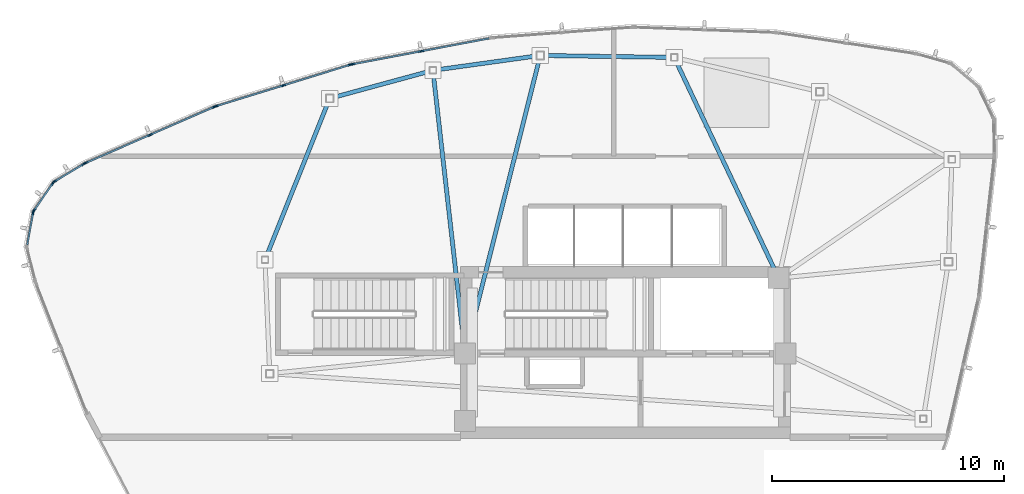
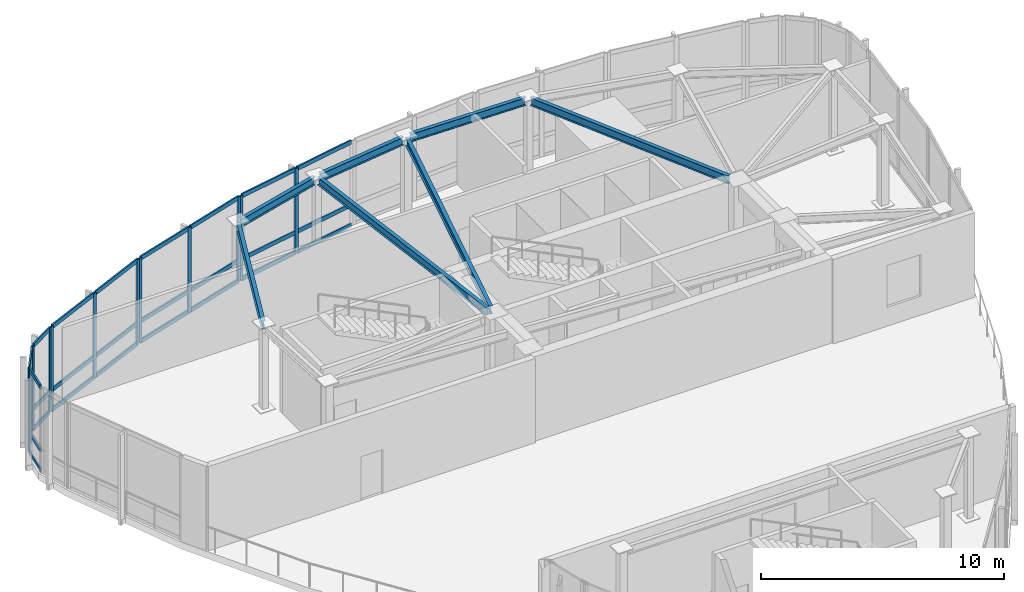
# One storey, part 6 of 16: 40 members, 7 beams, 6 elements without a shape of their own.
"""IFC4 building model written with IfcOpenShell, lengths in metres."""

from ifc_helpers import new_model, si_unit, direction, frame, origin, origin_2d, place, context, subcontext, project, spatial, hollow_rectangle, i_section, extrude, source, transform, mapped, material, layer, layer_set, material_profile, profile_set, type_object, type_shapes, element, aggregate, save


model = new_model("IFC4")

# Units and contexts
model_context = context("Model", 3, precision=1e-05, world=origin(), true_north=direction((0.0, 1.0)))
body_context = subcontext(model_context, "Body", "Model", "MODEL_VIEW")
ifc_project = project(units=[si_unit("LENGTHUNIT", "METRE"), si_unit("AREAUNIT", "SQUARE_METRE"), si_unit("VOLUMEUNIT", "CUBIC_METRE"), si_unit("PLANEANGLEUNIT", "RADIAN"), si_unit("MASSUNIT", "GRAM", prefix="KILO")], contexts=[model_context])

# Site, building, storey
site_placement = place(None, origin())
site = spatial("IfcSite", under=ifc_project, at=site_placement, CompositionType="ELEMENT")
building_placement = place(site_placement, origin())
building = spatial("IfcBuilding", under=site, at=building_placement, Name="Tavelor Broadcast Tower", CompositionType="ELEMENT")
storey_placement = place(building_placement, frame((0.0, 0.0, 332.10009765625)))
storey = spatial("IfcBuildingStorey", under=building, at=storey_placement, Name="L79", CompositionType="ELEMENT", Elevation=332.10009765625)

# Beams
ifc_material_1 = material(Name="Steel S355", Category="steel")
ifc_material_profile_1 = material_profile(ifc_material_1, i_section(OverallWidth=0.179931640625, OverallDepth=0.39990234375, WebThickness=0.008544921875, FlangeThickness=0.013427734375, at=origin_2d()), Name="IPE 400")
ifc_profile_set_1 = profile_set([ifc_material_profile_1], Name="Steel S355")
beam_type = type_object("IfcBeamType", Name="Crown Ring Spandrel Beam IPE400", PredefinedType="SPANDREL", material=ifc_profile_set_1)
beam_1_placement = place(storey_placement, frame((37.20654296875, 58.77197265625, 4.0498046875), z_axis=(-0.372319972441, -0.928104432767, 0.0), x_axis=(0.928104432767, -0.372319972441, 0.0)))
element("IfcBeam", 1, at=beam_1_placement, inside=storey, type_object=beam_type, Name="L79 Crown Peak A Ring Spandrel 1", PredefinedType="SPANDREL", context=body_context, shape_type="SweptSolid", body=[
    extrude(i_section(OverallWidth=0.179931640625, OverallDepth=0.39990234375, WebThickness=0.008544921875, FlangeThickness=0.013427734375, at=origin_2d()), origin(), (0.0, 0.0, 1.0), 7.1552734375),
])
beam_2_placement = place(storey_placement, frame((51.950927734375, 60.703857421875, 4.0498046875), z_axis=(-0.999890824975, 0.01477626921, 0.0), x_axis=(-0.01477626921, -0.999890824975, 0.0)))
element("IfcBeam", 2, at=beam_2_placement, inside=storey, type_object=beam_type, Name="L79 Crown Peak A Ring Spandrel 8", PredefinedType="SPANDREL", context=body_context, shape_type="SweptSolid", body=[
    extrude(i_section(OverallWidth=0.179931640625, OverallDepth=0.39990234375, WebThickness=0.008544921875, FlangeThickness=0.013427734375, at=origin_2d()), origin(), (0.0, 0.0, 1.0), 5.435791015625),
])
beam_3_placement = place(storey_placement, frame((56.415283203125, 51.590576171875, 4.0498046875), z_axis=(-0.427748000898, 0.903898029497, 0.0), x_axis=(-0.903898029497, -0.427748000898, 0.0)))
element("IfcBeam", 3, at=beam_3_placement, inside=storey, type_object=beam_type, Name="L79 Crown Peak A Radial Beam 8", PredefinedType="SPANDREL", context=body_context, shape_type="SweptSolid", body=[
    extrude(i_section(OverallWidth=0.179931640625, OverallDepth=0.39990234375, WebThickness=0.008544921875, FlangeThickness=0.013427734375, at=origin_2d()), origin(), (0.0, 0.0, 1.0), 9.926513671875),
])
beam_4_placement = place(storey_placement, frame((46.160400390625, 60.762451171875, 4.0498046875), z_axis=(-0.990512514029, -0.13742255838, 0.0), x_axis=(0.13742255838, -0.990512514029, 0.0)))
element("IfcBeam", 4, at=beam_4_placement, inside=storey, type_object=beam_type, Name="L79 Crown Peak A Ring Spandrel 9", PredefinedType="SPANDREL", context=body_context, shape_type="SweptSolid", body=[
    extrude(i_section(OverallWidth=0.179931640625, OverallDepth=0.39990234375, WebThickness=0.008544921875, FlangeThickness=0.013427734375, at=origin_2d()), origin(), (0.0, 0.0, 1.0), 4.334716796875),
])
beam_5_placement = place(storey_placement, frame((43.20556640625, 48.368896484375, 4.0498046875), z_axis=(0.244522996769, 0.969643493275, 0.0), x_axis=(-0.969643493275, 0.244522996769, 0.0)))
element("IfcBeam", 5, at=beam_5_placement, inside=storey, type_object=beam_type, Name="L79 Crown Peak A Radial Beam 9", PredefinedType="SPANDREL", context=body_context, shape_type="SweptSolid", body=[
    extrude(i_section(OverallWidth=0.179931640625, OverallDepth=0.39990234375, WebThickness=0.008544921875, FlangeThickness=0.013427734375, at=origin_2d()), origin(), (0.0, 0.0, 1.0), 12.628173828125),
])
beam_6_placement = place(storey_placement, frame((41.5673828125, 60.105712890625, 4.0498046875), z_axis=(-0.964933753027, -0.262493528053, 0.0), x_axis=(0.262493528053, -0.964933753027, 0.0)))
element("IfcBeam", 6, at=beam_6_placement, inside=storey, type_object=beam_type, Name="L79 Crown Peak A Ring Spandrel 10", PredefinedType="SPANDREL", context=body_context, shape_type="SweptSolid", body=[
    extrude(i_section(OverallWidth=0.179931640625, OverallDepth=0.39990234375, WebThickness=0.008544921875, FlangeThickness=0.013427734375, at=origin_2d()), origin(), (0.0, 0.0, 1.0), 4.27197265625),
])
beam_7_placement = place(storey_placement, frame((43.05126953125, 48.379150390625, 4.0498046875), z_axis=(-0.112824398256, 0.993614943103, 0.0), x_axis=(-0.993614943103, -0.112824398256, 0.0)))
element("IfcBeam", 7, at=beam_7_placement, inside=storey, type_object=beam_type, Name="L79 Crown Peak A Radial Beam 10", PredefinedType="SPANDREL", context=body_context, shape_type="SweptSolid", body=[
    extrude(i_section(OverallWidth=0.179931640625, OverallDepth=0.39990234375, WebThickness=0.008544921875, FlangeThickness=0.013427734375, at=origin_2d()), origin(), (0.0, 0.0, 1.0), 11.689453125),
])

# Curtain wall, members
ifc_material_2 = material(Name="Architectural Anodized Aluminium", Category="aluminium")
ifc_layer = layer(ifc_material_2, 0.2099609375)
ifc_layer_set = layer_set([ifc_layer], Name="Architectural Anodized Aluminium")
curtain_wall_type = type_object("IfcCurtainWallType", Name="Split-Crown Beacon Curtain Wall CW06", PredefinedType="NOTDEFINED", material=ifc_layer_set)
curtain_wall_1_placement = place(storey_placement, origin())
curtain_wall_1 = element("IfcCurtainWall", 8, at=curtain_wall_1_placement, inside=storey, type_object=curtain_wall_type, Name="L79 Curtain Wall CW06 Run 886", PredefinedType="NOTDEFINED")
ifc_material_profile_2 = material_profile(ifc_material_2, hollow_rectangle(XDim=0.072021484375, YDim=0.2099609375, WallThickness=0.02197265625, at=origin_2d()), Name="RHS 72x210x22")
ifc_profile_set_2 = profile_set([ifc_material_profile_2], Name="Architectural Anodized Aluminium")
member_type_1 = type_object("IfcMemberType", Name="CW06 Extruded Aluminium Mullion 72x210", PredefinedType="MULLION", material=ifc_profile_set_2)
shared_shape_1 = source(origin(), body_context, "Body", "SweptSolid", [
    extrude(hollow_rectangle(XDim=0.072021484375, YDim=0.2099609375, WallThickness=0.02197265625, at=origin_2d()), origin(), (0.0, 0.0, 1.0), 4.25),
])
type_shapes(member_type_1, [shared_shape_1])
member_1_placement = place(storey_placement, frame((41.2109375, 60.968017578125, 0.0), z_axis=(0.0, 0.0, 1.0), x_axis=(0.185942140658, -0.982560695493, 0.0)))
member_1 = element("IfcMember", 9, at=member_1_placement, type_object=member_type_1, Name="CW06 mullion 2", PredefinedType="MULLION", context=body_context, shape_type="MappedRepresentation", body=[
    mapped(shared_shape_1, transform((0.0, 0.0, 0.0), scale=1.0)),
])
member_2_placement = place(storey_placement, frame((38.24951171875, 60.40771484375, 0.0), z_axis=(0.0, 0.0, 1.0), x_axis=(0.185942140658, -0.982560695493, 0.0)))
member_2 = element("IfcMember", 10, at=member_2_placement, type_object=member_type_1, Name="CW06 mullion 3", PredefinedType="MULLION", context=body_context, shape_type="MappedRepresentation", body=[
    mapped(shared_shape_1, transform((0.0, 0.0, 0.0), scale=1.0)),
])

curtain_wall_2_placement = place(storey_placement, origin())
curtain_wall_2 = element("IfcCurtainWall", 11, at=curtain_wall_2_placement, inside=storey, type_object=curtain_wall_type, Name="L79 Curtain Wall CW06 Run 887", PredefinedType="NOTDEFINED")
member_3_placement = place(storey_placement, frame((38.150634765625, 60.383056640625, 0.0), z_axis=(0.0, 0.0, 1.0), x_axis=(0.294839112838, -0.955546910173, 0.0)))
member_3 = element("IfcMember", 12, at=member_3_placement, type_object=member_type_1, Name="CW06 mullion 1", PredefinedType="MULLION", context=body_context, shape_type="MappedRepresentation", body=[
    mapped(shared_shape_1, transform((0.0, 0.0, 0.0), scale=1.0)),
])
member_4_placement = place(storey_placement, frame((35.2705078125, 59.494384765625, 0.0), z_axis=(0.0, 0.0, 1.0), x_axis=(0.294839112838, -0.955546910173, 0.0)))
member_4 = element("IfcMember", 13, at=member_4_placement, type_object=member_type_1, Name="CW06 mullion 2", PredefinedType="MULLION", context=body_context, shape_type="MappedRepresentation", body=[
    mapped(shared_shape_1, transform((0.0, 0.0, 0.0), scale=1.0)),
])
member_5_placement = place(storey_placement, frame((32.390380859375, 58.605712890625, 0.0), z_axis=(0.0, 0.0, 1.0), x_axis=(0.294839112838, -0.955546910173, 0.0)))
member_5 = element("IfcMember", 14, at=member_5_placement, type_object=member_type_1, Name="CW06 mullion 3", PredefinedType="MULLION", context=body_context, shape_type="MappedRepresentation", body=[
    mapped(shared_shape_1, transform((0.0, 0.0, 0.0), scale=1.0)),
])

curtain_wall_3_placement = place(storey_placement, origin())
curtain_wall_3 = element("IfcCurtainWall", 15, at=curtain_wall_3_placement, inside=storey, type_object=curtain_wall_type, Name="L79 Curtain Wall CW06 Run 888", PredefinedType="NOTDEFINED")
member_6_placement = place(storey_placement, frame((32.294921875, 58.5703125, 0.0), z_axis=(0.0, 0.0, 1.0), x_axis=(0.400035109106, -0.916499815321, 0.0)))
member_6 = element("IfcMember", 16, at=member_6_placement, type_object=member_type_1, Name="CW06 mullion 1", PredefinedType="MULLION", context=body_context, shape_type="MappedRepresentation", body=[
    mapped(shared_shape_1, transform((0.0, 0.0, 0.0), scale=1.0)),
])
member_7_placement = place(storey_placement, frame((29.532958984375, 57.36474609375, 0.0), z_axis=(0.0, 0.0, 1.0), x_axis=(0.400035109106, -0.916499815321, 0.0)))
member_7 = element("IfcMember", 17, at=member_7_placement, type_object=member_type_1, Name="CW06 mullion 2", PredefinedType="MULLION", context=body_context, shape_type="MappedRepresentation", body=[
    mapped(shared_shape_1, transform((0.0, 0.0, 0.0), scale=1.0)),
])
member_8_placement = place(storey_placement, frame((26.77099609375, 56.1591796875, 0.0), z_axis=(0.0, 0.0, 1.0), x_axis=(0.400035109106, -0.916499815321, 0.0)))
member_8 = element("IfcMember", 18, at=member_8_placement, type_object=member_type_1, Name="CW06 mullion 3", PredefinedType="MULLION", context=body_context, shape_type="MappedRepresentation", body=[
    mapped(shared_shape_1, transform((0.0, 0.0, 0.0), scale=1.0)),
])

curtain_wall_4_placement = place(storey_placement, origin())
curtain_wall_4 = element("IfcCurtainWall", 19, at=curtain_wall_4_placement, inside=storey, type_object=curtain_wall_type, Name="L79 Curtain Wall CW06 Run 889", PredefinedType="NOTDEFINED")
member_9_placement = place(storey_placement, frame((26.6806640625, 56.112548828125, 0.0), z_axis=(0.0, 0.0, 1.0), x_axis=(0.51583017563, -0.856690860176, 0.0)))
member_9 = element("IfcMember", 20, at=member_9_placement, type_object=member_type_1, Name="CW06 mullion 1", PredefinedType="MULLION", context=body_context, shape_type="MappedRepresentation", body=[
    mapped(shared_shape_1, transform((0.0, 0.0, 0.0), scale=1.0)),
])
member_10_placement = place(storey_placement, frame((25.4306640625, 55.35986328125, 0.0), z_axis=(0.0, 0.0, 1.0), x_axis=(0.51583017563, -0.856690860176, 0.0)))
member_10 = element("IfcMember", 21, at=member_10_placement, type_object=member_type_1, Name="CW06 mullion 2", PredefinedType="MULLION", context=body_context, shape_type="MappedRepresentation", body=[
    mapped(shared_shape_1, transform((0.0, 0.0, 0.0), scale=1.0)),
])

curtain_wall_5_placement = place(storey_placement, origin())
curtain_wall_5 = element("IfcCurtainWall", 22, at=curtain_wall_5_placement, inside=storey, type_object=curtain_wall_type, Name="L79 Curtain Wall CW06 Run 890", PredefinedType="NOTDEFINED")
member_11_placement = place(storey_placement, frame((25.35791015625, 55.291748046875, 0.0), z_axis=(0.0, 0.0, 1.0), x_axis=(0.822632924885, -0.568572836931, 0.0)))
member_11 = element("IfcMember", 23, at=member_11_placement, type_object=member_type_1, Name="CW06 mullion 1", PredefinedType="MULLION", context=body_context, shape_type="MappedRepresentation", body=[
    mapped(shared_shape_1, transform((0.0, 0.0, 0.0), scale=1.0)),
])
member_12_placement = place(storey_placement, frame((24.540283203125, 54.1083984375, 0.0), z_axis=(0.0, 0.0, 1.0), x_axis=(0.822632924885, -0.568572836931, 0.0)))
member_12 = element("IfcMember", 24, at=member_12_placement, type_object=member_type_1, Name="CW06 mullion 2", PredefinedType="MULLION", context=body_context, shape_type="MappedRepresentation", body=[
    mapped(shared_shape_1, transform((0.0, 0.0, 0.0), scale=1.0)),
])

# Curtain wall, member
curtain_wall_6_placement = place(storey_placement, origin())
curtain_wall_6 = element("IfcCurtainWall", 25, at=curtain_wall_6_placement, inside=storey, type_object=curtain_wall_type, Name="L79 Curtain Wall CW06 Run 891", PredefinedType="NOTDEFINED")
member_13_placement = place(storey_placement, frame((24.501953125, 54.016357421875, 0.0), z_axis=(0.0, 0.0, 1.0), x_axis=(0.983728684272, -0.179660445675, 0.0)))
member_13 = element("IfcMember", 26, at=member_13_placement, type_object=member_type_1, Name="CW06 mullion 1", PredefinedType="MULLION", context=body_context, shape_type="MappedRepresentation", body=[
    mapped(shared_shape_1, transform((0.0, 0.0, 0.0), scale=1.0)),
])

# Member
ifc_material_profile_3 = material_profile(ifc_material_2, hollow_rectangle(XDim=0.072021484375, YDim=0.2099609375, WallThickness=0.02197265625, at=origin_2d()), Name="RHS 72x210x22")
ifc_profile_set_3 = profile_set([ifc_material_profile_3], Name="Architectural Anodized Aluminium")
member_type_2 = type_object("IfcMemberType", Name="CW06 Extruded Aluminium Transom 72x210", PredefinedType="USERDEFINED", material=ifc_profile_set_3)
shared_shape_2 = source(origin(), body_context, "Body", "SweptSolid", [
    extrude(hollow_rectangle(XDim=0.072021484375, YDim=0.2099609375, WallThickness=0.02197265625, at=origin_2d()), origin(), (0.0, 0.0, 1.0), 1.38720703125),
])
member_14_placement = place(storey_placement, frame((26.64990234375, 56.093994140625, 0.035888671875), z_axis=(-0.856699972773, -0.515815041125, 0.0), x_axis=(0.515815041125, -0.856699972773, 0.0)))
member_14 = element("IfcMember", 27, at=member_14_placement, type_object=member_type_2, Name="CW06 transom 1.1", ObjectType="TRANSOM", PredefinedType="USERDEFINED", context=body_context, shape_type="MappedRepresentation", body=[
    mapped(shared_shape_2, transform((0.0, 0.0, 0.0), scale=1.0)),
])

member_15_placement = place(storey_placement, frame((26.64990234375, 56.093994140625, 1.0498046875), z_axis=(-0.856699972773, -0.515815041125, 0.0), x_axis=(0.515815041125, -0.856699972773, 0.0)))
member_15 = element("IfcMember", 28, at=member_15_placement, type_object=member_type_2, Name="CW06 transom 1.2", ObjectType="TRANSOM", PredefinedType="USERDEFINED", context=body_context, shape_type="MappedRepresentation", body=[
    mapped(shared_shape_2, transform((0.0, 0.0, 0.0), scale=1.0)),
])

member_16_placement = place(storey_placement, frame((26.64990234375, 56.093994140625, 4.2138671875), z_axis=(-0.856699972773, -0.515815041125, 0.0), x_axis=(0.515815041125, -0.856699972773, 0.0)))
member_16 = element("IfcMember", 29, at=member_16_placement, type_object=member_type_2, Name="CW06 transom 1.3", ObjectType="TRANSOM", PredefinedType="USERDEFINED", context=body_context, shape_type="MappedRepresentation", body=[
    mapped(shared_shape_2, transform((0.0, 0.0, 0.0), scale=1.0)),
])

aggregate(curtain_wall_4, [member_9, member_10, member_14, member_15, member_16])

shared_shape_3 = source(origin(), body_context, "Body", "SweptSolid", [
    extrude(hollow_rectangle(XDim=0.072021484375, YDim=0.2099609375, WallThickness=0.02197265625, at=origin_2d()), origin(), (0.0, 0.0, 1.0), 1.365966796875),
])
member_17_placement = place(storey_placement, frame((24.49560546875, 53.98095703125, 0.035888671875), z_axis=(-0.179624618975, -0.983735226704, 0.0), x_axis=(0.983735226704, -0.179624618975, 0.0)))
member_17 = element("IfcMember", 30, at=member_17_placement, type_object=member_type_2, Name="CW06 transom 1.1", ObjectType="TRANSOM", PredefinedType="USERDEFINED", context=body_context, shape_type="MappedRepresentation", body=[
    mapped(shared_shape_3, transform((0.0, 0.0, 0.0), scale=1.0)),
])

member_18_placement = place(storey_placement, frame((24.49560546875, 53.98095703125, 1.0498046875), z_axis=(-0.179624618975, -0.983735226704, 0.0), x_axis=(0.983735226704, -0.179624618975, 0.0)))
member_18 = element("IfcMember", 31, at=member_18_placement, type_object=member_type_2, Name="CW06 transom 1.2", ObjectType="TRANSOM", PredefinedType="USERDEFINED", context=body_context, shape_type="MappedRepresentation", body=[
    mapped(shared_shape_3, transform((0.0, 0.0, 0.0), scale=1.0)),
])

member_19_placement = place(storey_placement, frame((24.49560546875, 53.98095703125, 4.2138671875), z_axis=(-0.179624618975, -0.983735226704, 0.0), x_axis=(0.983735226704, -0.179624618975, 0.0)))
member_19 = element("IfcMember", 32, at=member_19_placement, type_object=member_type_2, Name="CW06 transom 1.3", ObjectType="TRANSOM", PredefinedType="USERDEFINED", context=body_context, shape_type="MappedRepresentation", body=[
    mapped(shared_shape_3, transform((0.0, 0.0, 0.0), scale=1.0)),
])

aggregate(curtain_wall_6, [member_13, member_17, member_18, member_19])

shared_shape_4 = source(origin(), body_context, "Body", "SweptSolid", [
    extrude(hollow_rectangle(XDim=0.072021484375, YDim=0.2099609375, WallThickness=0.02197265625, at=origin_2d()), origin(), (0.0, 0.0, 1.0), 1.3662109375),
])
member_20_placement = place(storey_placement, frame((25.33740234375, 55.261962890625, 0.035888671875), z_axis=(-0.568642987622, -0.822584434954, 0.0), x_axis=(0.822584434954, -0.568642987622, 0.0)))
member_20 = element("IfcMember", 33, at=member_20_placement, type_object=member_type_2, Name="CW06 transom 1.1", ObjectType="TRANSOM", PredefinedType="USERDEFINED", context=body_context, shape_type="MappedRepresentation", body=[
    mapped(shared_shape_4, transform((0.0, 0.0, 0.0), scale=1.0)),
])

member_21_placement = place(storey_placement, frame((25.33740234375, 55.261962890625, 1.0498046875), z_axis=(-0.568642987622, -0.822584434954, 0.0), x_axis=(0.822584434954, -0.568642987622, 0.0)))
member_21 = element("IfcMember", 34, at=member_21_placement, type_object=member_type_2, Name="CW06 transom 1.2", ObjectType="TRANSOM", PredefinedType="USERDEFINED", context=body_context, shape_type="MappedRepresentation", body=[
    mapped(shared_shape_4, transform((0.0, 0.0, 0.0), scale=1.0)),
])

member_22_placement = place(storey_placement, frame((25.33740234375, 55.261962890625, 4.2138671875), z_axis=(-0.568642987622, -0.822584434954, 0.0), x_axis=(0.822584434954, -0.568642987622, 0.0)))
member_22 = element("IfcMember", 35, at=member_22_placement, type_object=member_type_2, Name="CW06 transom 1.3", ObjectType="TRANSOM", PredefinedType="USERDEFINED", context=body_context, shape_type="MappedRepresentation", body=[
    mapped(shared_shape_4, transform((0.0, 0.0, 0.0), scale=1.0)),
])

aggregate(curtain_wall_5, [member_11, member_12, member_20, member_21, member_22])

shared_shape_5 = source(origin(), body_context, "Body", "SweptSolid", [
    extrude(hollow_rectangle(XDim=0.072021484375, YDim=0.2099609375, WallThickness=0.02197265625, at=origin_2d()), origin(), (0.0, 0.0, 1.0), 2.94140625),
])
member_23_placement = place(storey_placement, frame((32.26171875, 58.555908203125, 0.035888671875), z_axis=(-0.916488478282, -0.400061081807, 0.0), x_axis=(0.400061081807, -0.916488478282, 0.0)))
member_23 = element("IfcMember", 36, at=member_23_placement, type_object=member_type_2, Name="CW06 transom 1.1", ObjectType="TRANSOM", PredefinedType="USERDEFINED", context=body_context, shape_type="MappedRepresentation", body=[
    mapped(shared_shape_5, transform((0.0, 0.0, 0.0), scale=1.0)),
])

member_24_placement = place(storey_placement, frame((32.26171875, 58.555908203125, 1.0498046875), z_axis=(-0.916488478282, -0.400061081807, 0.0), x_axis=(0.400061081807, -0.916488478282, 0.0)))
member_24 = element("IfcMember", 37, at=member_24_placement, type_object=member_type_2, Name="CW06 transom 1.2", ObjectType="TRANSOM", PredefinedType="USERDEFINED", context=body_context, shape_type="MappedRepresentation", body=[
    mapped(shared_shape_5, transform((0.0, 0.0, 0.0), scale=1.0)),
])

member_25_placement = place(storey_placement, frame((32.26171875, 58.555908203125, 4.2138671875), z_axis=(-0.916488478282, -0.400061081807, 0.0), x_axis=(0.400061081807, -0.916488478282, 0.0)))
member_25 = element("IfcMember", 38, at=member_25_placement, type_object=member_type_2, Name="CW06 transom 1.3", ObjectType="TRANSOM", PredefinedType="USERDEFINED", context=body_context, shape_type="MappedRepresentation", body=[
    mapped(shared_shape_5, transform((0.0, 0.0, 0.0), scale=1.0)),
])

member_26_placement = place(storey_placement, frame((29.5, 57.350341796875, 0.035888671875), z_axis=(-0.916488478282, -0.400061081807, 0.0), x_axis=(0.400061081807, -0.916488478282, 0.0)))
member_26 = element("IfcMember", 39, at=member_26_placement, type_object=member_type_2, Name="CW06 transom 2.1", ObjectType="TRANSOM", PredefinedType="USERDEFINED", context=body_context, shape_type="MappedRepresentation", body=[
    mapped(shared_shape_5, transform((0.0, 0.0, 0.0), scale=1.0)),
])

member_27_placement = place(storey_placement, frame((29.5, 57.350341796875, 1.0498046875), z_axis=(-0.916488478282, -0.400061081807, 0.0), x_axis=(0.400061081807, -0.916488478282, 0.0)))
member_27 = element("IfcMember", 40, at=member_27_placement, type_object=member_type_2, Name="CW06 transom 2.2", ObjectType="TRANSOM", PredefinedType="USERDEFINED", context=body_context, shape_type="MappedRepresentation", body=[
    mapped(shared_shape_5, transform((0.0, 0.0, 0.0), scale=1.0)),
])

member_28_placement = place(storey_placement, frame((29.5, 57.350341796875, 4.2138671875), z_axis=(-0.916488478282, -0.400061081807, 0.0), x_axis=(0.400061081807, -0.916488478282, 0.0)))
member_28 = element("IfcMember", 41, at=member_28_placement, type_object=member_type_2, Name="CW06 transom 2.3", ObjectType="TRANSOM", PredefinedType="USERDEFINED", context=body_context, shape_type="MappedRepresentation", body=[
    mapped(shared_shape_5, transform((0.0, 0.0, 0.0), scale=1.0)),
])

aggregate(curtain_wall_3, [member_6, member_7, member_8, member_23, member_24, member_25, member_26, member_27, member_28])

shared_shape_6 = source(origin(), body_context, "Body", "SweptSolid", [
    extrude(hollow_rectangle(XDim=0.072021484375, YDim=0.2099609375, WallThickness=0.02197265625, at=origin_2d()), origin(), (0.0, 0.0, 1.0), 2.942138671875),
])
type_shapes(member_type_2, [shared_shape_2, shared_shape_3, shared_shape_4, shared_shape_5, shared_shape_6])
member_29_placement = place(storey_placement, frame((44.13720703125, 61.521728515625, 0.035888671875), z_axis=(-0.982573113033, -0.185876511544, 0.0), x_axis=(0.185876511544, -0.982573113033, 0.0)))
member_29 = element("IfcMember", 42, at=member_29_placement, type_object=member_type_2, Name="CW06 transom 1.1", ObjectType="TRANSOM", PredefinedType="USERDEFINED", context=body_context, shape_type="MappedRepresentation", body=[
    mapped(shared_shape_6, transform((0.0, 0.0, 0.0), scale=1.0)),
])

member_30_placement = place(storey_placement, frame((44.13720703125, 61.521728515625, 1.0498046875), z_axis=(-0.982573113033, -0.185876511544, 0.0), x_axis=(0.185876511544, -0.982573113033, 0.0)))
member_30 = element("IfcMember", 43, at=member_30_placement, type_object=member_type_2, Name="CW06 transom 1.2", ObjectType="TRANSOM", PredefinedType="USERDEFINED", context=body_context, shape_type="MappedRepresentation", body=[
    mapped(shared_shape_6, transform((0.0, 0.0, 0.0), scale=1.0)),
])

member_31_placement = place(storey_placement, frame((44.13720703125, 61.521728515625, 4.2138671875), z_axis=(-0.982573113033, -0.185876511544, 0.0), x_axis=(0.185876511544, -0.982573113033, 0.0)))
member_31 = element("IfcMember", 44, at=member_31_placement, type_object=member_type_2, Name="CW06 transom 1.3", ObjectType="TRANSOM", PredefinedType="USERDEFINED", context=body_context, shape_type="MappedRepresentation", body=[
    mapped(shared_shape_6, transform((0.0, 0.0, 0.0), scale=1.0)),
])

member_32_placement = place(storey_placement, frame((41.17578125, 60.96142578125, 0.035888671875), z_axis=(-0.982557954654, -0.18595662329, 0.0), x_axis=(0.18595662329, -0.982557954654, 0.0)))
member_32 = element("IfcMember", 45, at=member_32_placement, type_object=member_type_2, Name="CW06 transom 2.1", ObjectType="TRANSOM", PredefinedType="USERDEFINED", context=body_context, shape_type="MappedRepresentation", body=[
    mapped(shared_shape_6, transform((0.0, 0.0, 0.0), scale=1.0)),
])

member_33_placement = place(storey_placement, frame((41.17578125, 60.96142578125, 1.0498046875), z_axis=(-0.982557954654, -0.18595662329, 0.0), x_axis=(0.18595662329, -0.982557954654, 0.0)))
member_33 = element("IfcMember", 46, at=member_33_placement, type_object=member_type_2, Name="CW06 transom 2.2", ObjectType="TRANSOM", PredefinedType="USERDEFINED", context=body_context, shape_type="MappedRepresentation", body=[
    mapped(shared_shape_6, transform((0.0, 0.0, 0.0), scale=1.0)),
])

member_34_placement = place(storey_placement, frame((41.17578125, 60.96142578125, 4.2138671875), z_axis=(-0.982557954654, -0.18595662329, 0.0), x_axis=(0.18595662329, -0.982557954654, 0.0)))
member_34 = element("IfcMember", 47, at=member_34_placement, type_object=member_type_2, Name="CW06 transom 2.3", ObjectType="TRANSOM", PredefinedType="USERDEFINED", context=body_context, shape_type="MappedRepresentation", body=[
    mapped(shared_shape_6, transform((0.0, 0.0, 0.0), scale=1.0)),
])

aggregate(curtain_wall_1, [member_1, member_2, member_29, member_30, member_31, member_32, member_33, member_34])

member_35_placement = place(storey_placement, frame((38.1162109375, 60.37255859375, 0.035888671875), z_axis=(-0.955547257903, -0.294837985873, 0.0), x_axis=(0.294837985873, -0.955547257903, 0.0)))
member_35 = element("IfcMember", 48, at=member_35_placement, type_object=member_type_2, Name="CW06 transom 1.1", ObjectType="TRANSOM", PredefinedType="USERDEFINED", context=body_context, shape_type="MappedRepresentation", body=[
    mapped(shared_shape_6, transform((0.0, 0.0, 0.0), scale=1.0)),
])

member_36_placement = place(storey_placement, frame((38.1162109375, 60.37255859375, 1.0498046875), z_axis=(-0.955547257903, -0.294837985873, 0.0), x_axis=(0.294837985873, -0.955547257903, 0.0)))
member_36 = element("IfcMember", 49, at=member_36_placement, type_object=member_type_2, Name="CW06 transom 1.2", ObjectType="TRANSOM", PredefinedType="USERDEFINED", context=body_context, shape_type="MappedRepresentation", body=[
    mapped(shared_shape_6, transform((0.0, 0.0, 0.0), scale=1.0)),
])

member_37_placement = place(storey_placement, frame((38.1162109375, 60.37255859375, 4.2138671875), z_axis=(-0.955547257903, -0.294837985873, 0.0), x_axis=(0.294837985873, -0.955547257903, 0.0)))
member_37 = element("IfcMember", 50, at=member_37_placement, type_object=member_type_2, Name="CW06 transom 1.3", ObjectType="TRANSOM", PredefinedType="USERDEFINED", context=body_context, shape_type="MappedRepresentation", body=[
    mapped(shared_shape_6, transform((0.0, 0.0, 0.0), scale=1.0)),
])

member_38_placement = place(storey_placement, frame((35.236083984375, 59.48388671875, 0.035888671875), z_axis=(-0.955523876584, -0.294913752269, 0.0), x_axis=(0.294913752269, -0.955523876584, 0.0)))
member_38 = element("IfcMember", 51, at=member_38_placement, type_object=member_type_2, Name="CW06 transom 2.1", ObjectType="TRANSOM", PredefinedType="USERDEFINED", context=body_context, shape_type="MappedRepresentation", body=[
    mapped(shared_shape_6, transform((0.0, 0.0, 0.0), scale=1.0)),
])

member_39_placement = place(storey_placement, frame((35.236083984375, 59.48388671875, 1.0498046875), z_axis=(-0.955523876584, -0.294913752269, 0.0), x_axis=(0.294913752269, -0.955523876584, 0.0)))
member_39 = element("IfcMember", 52, at=member_39_placement, type_object=member_type_2, Name="CW06 transom 2.2", ObjectType="TRANSOM", PredefinedType="USERDEFINED", context=body_context, shape_type="MappedRepresentation", body=[
    mapped(shared_shape_6, transform((0.0, 0.0, 0.0), scale=1.0)),
])

member_40_placement = place(storey_placement, frame((35.236083984375, 59.48388671875, 4.2138671875), z_axis=(-0.955523876584, -0.294913752269, 0.0), x_axis=(0.294913752269, -0.955523876584, 0.0)))
member_40 = element("IfcMember", 53, at=member_40_placement, type_object=member_type_2, Name="CW06 transom 2.3", ObjectType="TRANSOM", PredefinedType="USERDEFINED", context=body_context, shape_type="MappedRepresentation", body=[
    mapped(shared_shape_6, transform((0.0, 0.0, 0.0), scale=1.0)),
])

aggregate(curtain_wall_2, [member_3, member_4, member_5, member_35, member_36, member_37, member_38, member_39, member_40])

save(model, "model.ifc")
